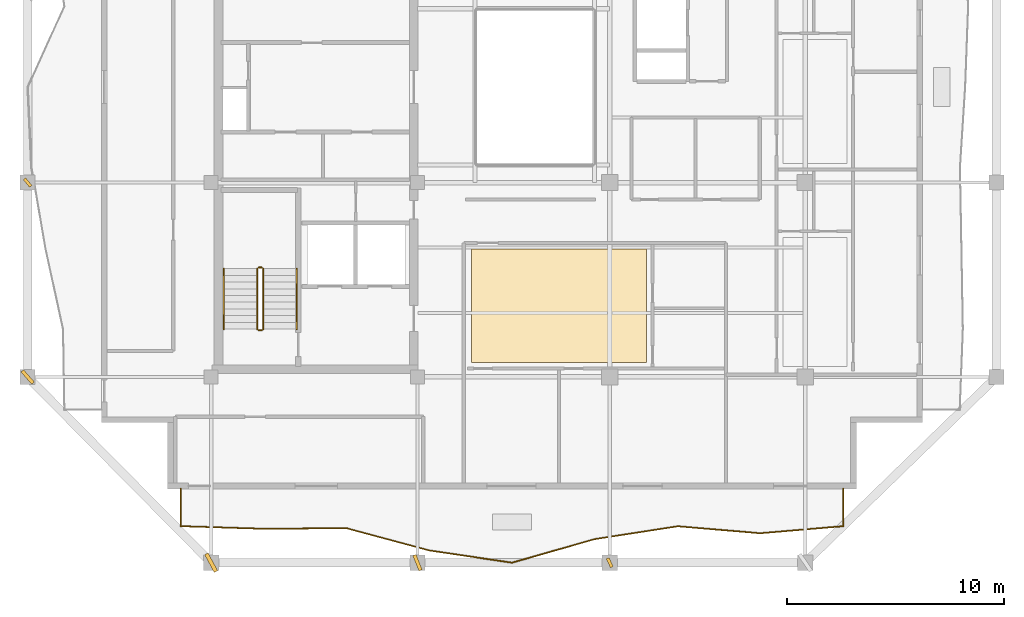
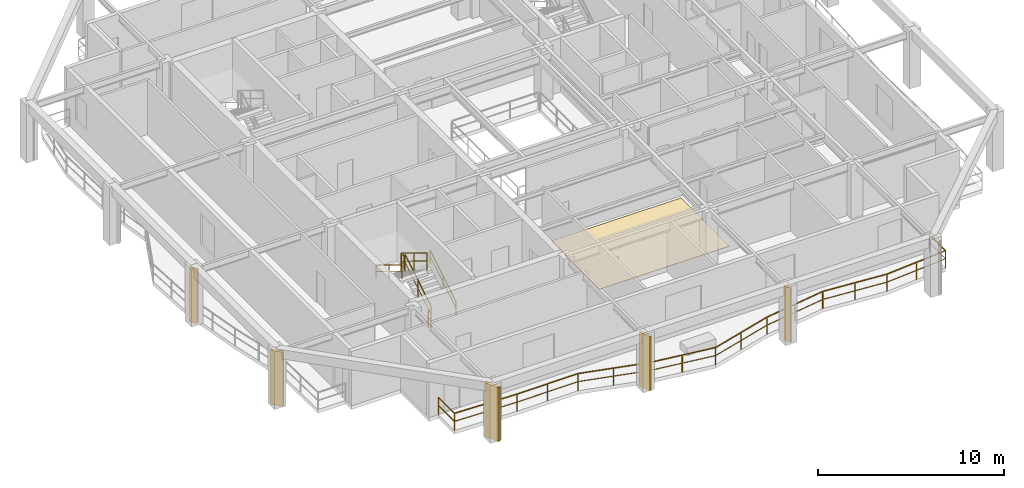
# One storey, part 7 of 10: 7 railings, 5 shading devices, 1 covering.
"""IFC4 building model written with IfcOpenShell, lengths in metres."""

from ifc_helpers import new_model, si_unit, direction, frame, origin, origin_2d, place, context, subcontext, project, spatial, polyline, rectangle, outline, extrude, material, layer, layer_set, type_object, element, save


model = new_model("IFC4")

# Units and contexts
model_context = context("Model", 3, precision=1e-05, world=origin(), true_north=direction((0.0, 1.0)))
body_context = subcontext(model_context, "Body", "Model", "MODEL_VIEW")
ifc_project = project(units=[si_unit("LENGTHUNIT", "METRE"), si_unit("AREAUNIT", "SQUARE_METRE"), si_unit("VOLUMEUNIT", "CUBIC_METRE"), si_unit("PLANEANGLEUNIT", "RADIAN"), si_unit("MASSUNIT", "GRAM", prefix="KILO")], contexts=[model_context])

# Site, building, storey
site_placement = place(None, origin())
site = spatial("IfcSite", under=ifc_project, at=site_placement, CompositionType="ELEMENT")
building_placement = place(site_placement, origin())
building = spatial("IfcBuilding", under=site, at=building_placement, Name="Kundavana Baori Tower", CompositionType="ELEMENT")
storey_placement = place(building_placement, frame((0.0, 0.0, 320.10009765625)))
storey = spatial("IfcBuildingStorey", under=building, at=storey_placement, Name="L79", CompositionType="ELEMENT", Elevation=320.10009765625)

# Covering
ifc_material_1 = material(Name="Honed Kota Stone and Terrazzo Flooring", Category="masonry")
ifc_layer = layer(ifc_material_1, 0.030029296875, Name="COV-INT-FLR")
ifc_layer_set = layer_set([ifc_layer], Name="Honed Kota Stone and Terrazzo Flooring")
covering_type = type_object("IfcCoveringType", Name="COV-INT-FLR", PredefinedType="FLOORING", material=ifc_layer_set)
covering_placement = place(storey_placement, origin())
element("IfcCovering", 1, at=covering_placement, inside=storey, type_object=covering_type, Name="L79 Room Finished Stone Flooring 1", PredefinedType="FLOORING", context=body_context, shape_type="SweptSolid", body=[
    extrude(outline(polyline([(27.43994140625, 15.919921875), (35.489990234375, 15.919921875), (35.489990234375, 21.139892578125), (27.43994140625, 21.139892578125), (27.43994140625, 15.919921875)])), origin(), (0.0, 0.0, 1.0), 0.02978515625),
])

# Railings
ifc_material_2 = material(Name="Architectural Patinated Bronze Metalwork")
railing_type_1 = type_object("IfcRailingType", Name="RL-BAL-1150", PredefinedType="BALUSTRADE", material=ifc_material_2)
railing_1_placement = place(storey_placement, frame((44.550048828125, 10.10009765625, 0.0)))
element("IfcRailing", 2, at=railing_1_placement, inside=storey, type_object=railing_type_1, Name="L79 Loggia Balcony Balustrade S", PredefinedType="BALUSTRADE", context=body_context, shape_type="SweptSolid", body=[
    extrude(rectangle(XDim=0.048095703125, YDim=0.048095703125, at=origin_2d()), frame((0.0, 0.0, 1.1259765625), z_axis=(0.0, -1.0, 0.0), x_axis=(1.0, 0.0, 0.0)), (0.0, 0.0, 1.0), 1.72021484375),
    extrude(rectangle(XDim=0.03125, YDim=0.03125, at=origin_2d()), frame((0.0, 0.0, 0.597900390625), z_axis=(0.0, -1.0, 0.0), x_axis=(1.0, 0.0, 0.0)), (0.0, 0.0, 1.0), 1.72021484375),
    extrude(rectangle(XDim=0.048095703125, YDim=0.048095703125, at=origin_2d()), frame((0.0, -1.72021484375, 1.1259765625), z_axis=(-0.996366629049, -0.085167719924, 0.0), x_axis=(0.085167719924, -0.996366629049, 0.0)), (0.0, 0.0, 1.0), 3.826904296875),
    extrude(rectangle(XDim=0.03125, YDim=0.03125, at=origin_2d()), frame((0.0, -1.72021484375, 0.597900390625), z_axis=(-0.996366629049, -0.085167719924, 0.0), x_axis=(0.085167719924, -0.996366629049, 0.0)), (0.0, 0.0, 1.0), 3.826904296875),
    extrude(rectangle(XDim=0.048095703125, YDim=0.048095703125, at=origin_2d()), frame((-3.81298828125, -2.046142578125, 1.1259765625), z_axis=(-0.996472310642, 0.083922190886, 0.0), x_axis=(-0.083922190886, -0.996472310642, 0.0)), (0.0, 0.0, 1.0), 3.825439453125),
    extrude(rectangle(XDim=0.03125, YDim=0.03125, at=origin_2d()), frame((-3.81298828125, -2.046142578125, 0.597900390625), z_axis=(-0.996472310642, 0.083922190886, 0.0), x_axis=(-0.083922190886, -0.996472310642, 0.0)), (0.0, 0.0, 1.0), 3.825439453125),
    extrude(rectangle(XDim=0.048095703125, YDim=0.048095703125, at=origin_2d()), frame((-7.625, -1.72509765625, 1.1259765625), z_axis=(-0.98819769459, -0.153183929991, 0.0), x_axis=(0.153183929991, -0.98819769459, 0.0)), (0.0, 0.0, 1.0), 3.858642578125),
    extrude(rectangle(XDim=0.03125, YDim=0.03125, at=origin_2d()), frame((-7.625, -1.72509765625, 0.597900390625), z_axis=(-0.98819769459, -0.153183929991, 0.0), x_axis=(0.153183929991, -0.98819769459, 0.0)), (0.0, 0.0, 1.0), 3.858642578125),
    extrude(rectangle(XDim=0.048095703125, YDim=0.048095703125, at=origin_2d()), frame((-11.43798828125, -2.316162109375, 1.1259765625), z_axis=(-0.961867239853, -0.273516750669, 0.0), x_axis=(0.273516750669, -0.961867239853, 0.0)), (0.0, 0.0, 1.0), 3.963134765625),
    extrude(rectangle(XDim=0.03125, YDim=0.03125, at=origin_2d()), frame((-11.43798828125, -2.316162109375, 0.597900390625), z_axis=(-0.961867239853, -0.273516750669, 0.0), x_axis=(0.273516750669, -0.961867239853, 0.0)), (0.0, 0.0, 1.0), 3.963134765625),
    extrude(rectangle(XDim=0.048095703125, YDim=0.048095703125, at=origin_2d()), frame((-15.25, -3.400146484375, 1.1259765625), z_axis=(-0.989274764011, 0.146066564593, 0.0), x_axis=(-0.146066564593, -0.989274764011, 0.0)), (0.0, 0.0, 1.0), 3.854248046875),
    extrude(rectangle(XDim=0.03125, YDim=0.03125, at=origin_2d()), frame((-15.25, -3.400146484375, 0.597900390625), z_axis=(-0.989274764011, 0.146066564593, 0.0), x_axis=(-0.146066564593, -0.989274764011, 0.0)), (0.0, 0.0, 1.0), 3.854248046875),
    extrude(rectangle(XDim=0.048095703125, YDim=0.048095703125, at=origin_2d()), frame((-19.06298828125, -2.837158203125, 1.1259765625), z_axis=(-0.965689765962, 0.259698432642, 0.0), x_axis=(-0.259698432642, -0.965689765962, 0.0)), (0.0, 0.0, 1.0), 3.947509765625),
    extrude(rectangle(XDim=0.03125, YDim=0.03125, at=origin_2d()), frame((-19.06298828125, -2.837158203125, 0.597900390625), z_axis=(-0.965689765962, 0.259698432642, 0.0), x_axis=(-0.259698432642, -0.965689765962, 0.0)), (0.0, 0.0, 1.0), 3.947509765625),
    extrude(rectangle(XDim=0.048095703125, YDim=0.048095703125, at=origin_2d()), frame((-22.875, -1.81201171875, 1.1259765625), z_axis=(-0.99997095866, -0.007621144107, 0.0), x_axis=(0.007621144107, -0.99997095866, 0.0)), (0.0, 0.0, 1.0), 3.81201171875),
    extrude(rectangle(XDim=0.03125, YDim=0.03125, at=origin_2d()), frame((-22.875, -1.81201171875, 0.597900390625), z_axis=(-0.99997095866, -0.007621144107, 0.0), x_axis=(0.007621144107, -0.99997095866, 0.0)), (0.0, 0.0, 1.0), 3.81201171875),
    extrude(rectangle(XDim=0.048095703125, YDim=0.048095703125, at=origin_2d()), frame((-26.68701171875, -1.841064453125, 1.1259765625), z_axis=(-0.999498116958, 0.03167829222, 0.0), x_axis=(-0.03167829222, -0.999498116958, 0.0)), (0.0, 0.0, 1.0), 3.81494140625),
    extrude(rectangle(XDim=0.03125, YDim=0.03125, at=origin_2d()), frame((-26.68701171875, -1.841064453125, 0.597900390625), z_axis=(-0.999498116958, 0.03167829222, 0.0), x_axis=(-0.03167829222, -0.999498116958, 0.0)), (0.0, 0.0, 1.0), 3.81494140625),
    extrude(rectangle(XDim=0.048095703125, YDim=0.048095703125, at=origin_2d()), frame((-30.5, -1.72021484375, 1.1259765625), z_axis=(0.0, 1.0, 0.0), x_axis=(-1.0, 0.0, 0.0)), (0.0, 0.0, 1.0), 1.72021484375),
    extrude(rectangle(XDim=0.03125, YDim=0.03125, at=origin_2d()), frame((-30.5, -1.72021484375, 0.597900390625), z_axis=(0.0, 1.0, 0.0), x_axis=(-1.0, 0.0, 0.0)), (0.0, 0.0, 1.0), 1.72021484375),
    extrude(rectangle(XDim=0.0419921875, YDim=0.0419921875, at=origin_2d()), origin(), (0.0, 0.0, 1.0), 1.101806640625),
    extrude(rectangle(XDim=0.0419921875, YDim=0.0419921875, at=origin_2d()), frame((0.0, -1.72021484375, 0.0)), (0.0, 0.0, 1.0), 1.101806640625),
    extrude(rectangle(XDim=0.0419921875, YDim=0.0419921875, at=origin_2d()), frame((-1.906494140625, -1.88330078125, 0.0)), (0.0, 0.0, 1.0), 1.101806640625),
    extrude(rectangle(XDim=0.0419921875, YDim=0.0419921875, at=origin_2d()), frame((-3.81298828125, -2.046142578125, 0.0)), (0.0, 0.0, 1.0), 1.101806640625),
    extrude(rectangle(XDim=0.0419921875, YDim=0.0419921875, at=origin_2d()), frame((-5.718994140625, -1.8857421875, 0.0)), (0.0, 0.0, 1.0), 1.101806640625),
    extrude(rectangle(XDim=0.0419921875, YDim=0.0419921875, at=origin_2d()), frame((-7.625, -1.72509765625, 0.0)), (0.0, 0.0, 1.0), 1.101806640625),
    extrude(rectangle(XDim=0.0419921875, YDim=0.0419921875, at=origin_2d()), frame((-9.531494140625, -2.0205078125, 0.0)), (0.0, 0.0, 1.0), 1.101806640625),
    extrude(rectangle(XDim=0.0419921875, YDim=0.0419921875, at=origin_2d()), frame((-11.43798828125, -2.316162109375, 0.0)), (0.0, 0.0, 1.0), 1.101806640625),
    extrude(rectangle(XDim=0.0419921875, YDim=0.0419921875, at=origin_2d()), frame((-13.343994140625, -2.858154296875, 0.0)), (0.0, 0.0, 1.0), 1.101806640625),
    extrude(rectangle(XDim=0.0419921875, YDim=0.0419921875, at=origin_2d()), frame((-15.25, -3.400146484375, 0.0)), (0.0, 0.0, 1.0), 1.101806640625),
    extrude(rectangle(XDim=0.0419921875, YDim=0.0419921875, at=origin_2d()), frame((-17.156494140625, -3.11865234375, 0.0)), (0.0, 0.0, 1.0), 1.101806640625),
    extrude(rectangle(XDim=0.0419921875, YDim=0.0419921875, at=origin_2d()), frame((-19.06298828125, -2.837158203125, 0.0)), (0.0, 0.0, 1.0), 1.101806640625),
    extrude(rectangle(XDim=0.0419921875, YDim=0.0419921875, at=origin_2d()), frame((-20.968994140625, -2.32470703125, 0.0)), (0.0, 0.0, 1.0), 1.101806640625),
    extrude(rectangle(XDim=0.0419921875, YDim=0.0419921875, at=origin_2d()), frame((-22.875, -1.81201171875, 0.0)), (0.0, 0.0, 1.0), 1.101806640625),
    extrude(rectangle(XDim=0.0419921875, YDim=0.0419921875, at=origin_2d()), frame((-24.781005859375, -1.82666015625, 0.0)), (0.0, 0.0, 1.0), 1.101806640625),
    extrude(rectangle(XDim=0.0419921875, YDim=0.0419921875, at=origin_2d()), frame((-26.68701171875, -1.841064453125, 0.0)), (0.0, 0.0, 1.0), 1.101806640625),
    extrude(rectangle(XDim=0.0419921875, YDim=0.0419921875, at=origin_2d()), frame((-28.593505859375, -1.78076171875, 0.0)), (0.0, 0.0, 1.0), 1.101806640625),
    extrude(rectangle(XDim=0.0419921875, YDim=0.0419921875, at=origin_2d()), frame((-30.5, -1.72021484375, 0.0)), (0.0, 0.0, 1.0), 1.101806640625),
    extrude(rectangle(XDim=0.0419921875, YDim=0.0419921875, at=origin_2d()), frame((-30.5, 0.0, 0.0)), (0.0, 0.0, 1.0), 1.101806640625),
])
ifc_material_3 = material(Name="Architectural Patinated Bronze Metalwork")
railing_type_2 = type_object("IfcRailingType", Name="RL-GRD-1150", PredefinedType="GUARDRAIL", material=ifc_material_3)
railing_2_placement = place(storey_placement, frame((17.840087890625, 17.449951171875, 0.18994140625)))
element("IfcRailing", 3, at=railing_2_placement, inside=storey, type_object=railing_type_2, Name="L79 ST1 stair guard 1", PredefinedType="GUARDRAIL", context=body_context, shape_type="SweptSolid", body=[
    extrude(rectangle(XDim=0.048095703125, YDim=0.048095703125, at=origin_2d()), frame((0.0, 0.0, 1.1259765625), z_axis=(0.0, 0.852609830418, 0.522548061975), x_axis=(-1.0, 0.0, 0.0)), (0.0, 0.0, 1.0), 3.2724609375),
    extrude(rectangle(XDim=0.03125, YDim=0.03125, at=origin_2d()), frame((0.0, 0.0, 0.597900390625), z_axis=(0.0, 0.852609830418, 0.522548061975), x_axis=(-1.0, 0.0, 0.0)), (0.0, 0.0, 1.0), 3.2724609375),
    extrude(rectangle(XDim=0.0419921875, YDim=0.0419921875, at=origin_2d()), origin(), (0.0, 0.0, 1.0), 1.101806640625),
    extrude(rectangle(XDim=0.0419921875, YDim=0.0419921875, at=origin_2d()), frame((0.0, 1.39501953125, 0.85498046875)), (0.0, 0.0, 1.0), 1.101806640625),
    extrude(rectangle(XDim=0.0419921875, YDim=0.0419921875, at=origin_2d()), frame((0.0, 2.7900390625, 1.7099609375)), (0.0, 0.0, 1.0), 1.101806640625),
])
railing_3_placement = place(storey_placement, frame((17.7900390625, 20.2900390625, 1.89990234375)))
element("IfcRailing", 4, at=railing_3_placement, inside=storey, type_object=railing_type_2, Name="L79 ST1 stair guard 2", PredefinedType="GUARDRAIL", context=body_context, shape_type="SweptSolid", body=[
    extrude(rectangle(XDim=0.048095703125, YDim=0.048095703125, at=origin_2d()), frame((0.0, 0.0, 1.1259765625), z_axis=(-1.0, 0.0, 0.0), x_axis=(0.0, -1.0, 0.0)), (0.0, 0.0, 1.0), 0.16015625),
    extrude(rectangle(XDim=0.03125, YDim=0.03125, at=origin_2d()), frame((0.0, 0.0, 0.597900390625), z_axis=(-1.0, 0.0, 0.0), x_axis=(0.0, -1.0, 0.0)), (0.0, 0.0, 1.0), 0.16015625),
    extrude(rectangle(XDim=0.0419921875, YDim=0.0419921875, at=origin_2d()), origin(), (0.0, 0.0, 1.0), 1.101806640625),
    extrude(rectangle(XDim=0.0419921875, YDim=0.0419921875, at=origin_2d()), frame((-0.16015625, 0.0, 0.0)), (0.0, 0.0, 1.0), 1.101806640625),
])
railing_4_placement = place(storey_placement, frame((17.580078125, 20.239990234375, 2.08984375)))
element("IfcRailing", 5, at=railing_4_placement, inside=storey, type_object=railing_type_2, Name="L79 ST1 stair guard 3", PredefinedType="GUARDRAIL", context=body_context, shape_type="SweptSolid", body=[
    extrude(rectangle(XDim=0.048095703125, YDim=0.048095703125, at=origin_2d()), frame((0.0, 0.0, 1.1259765625), z_axis=(0.0, -0.852609830418, 0.522548061975), x_axis=(1.0, 0.0, 0.0)), (0.0, 0.0, 1.0), 3.2724609375),
    extrude(rectangle(XDim=0.03125, YDim=0.03125, at=origin_2d()), frame((0.0, 0.0, 0.597900390625), z_axis=(0.0, -0.852609830418, 0.522548061975), x_axis=(1.0, 0.0, 0.0)), (0.0, 0.0, 1.0), 3.2724609375),
    extrude(rectangle(XDim=0.0419921875, YDim=0.0419921875, at=origin_2d()), origin(), (0.0, 0.0, 1.0), 1.101806640625),
    extrude(rectangle(XDim=0.0419921875, YDim=0.0419921875, at=origin_2d()), frame((0.0, -1.39501953125, 0.85498046875)), (0.0, 0.0, 1.0), 1.101806640625),
    extrude(rectangle(XDim=0.0419921875, YDim=0.0419921875, at=origin_2d()), frame((0.0, -2.7900390625, 1.7099609375)), (0.0, 0.0, 1.0), 1.101806640625),
])
railing_5_placement = place(storey_placement, frame((17.7900390625, 17.39990234375, 0.0)))
element("IfcRailing", 6, at=railing_5_placement, inside=storey, type_object=railing_type_2, Name="L79 ST1 stair guard 4", PredefinedType="GUARDRAIL", context=body_context, shape_type="SweptSolid", body=[
    extrude(rectangle(XDim=0.048095703125, YDim=0.048095703125, at=origin_2d()), frame((0.0, 0.0, 1.1259765625), z_axis=(-1.0, 0.0, 0.0), x_axis=(0.0, -1.0, 0.0)), (0.0, 0.0, 1.0), 0.16015625),
    extrude(rectangle(XDim=0.03125, YDim=0.03125, at=origin_2d()), frame((0.0, 0.0, 0.597900390625), z_axis=(-1.0, 0.0, 0.0), x_axis=(0.0, -1.0, 0.0)), (0.0, 0.0, 1.0), 0.16015625),
    extrude(rectangle(XDim=0.0419921875, YDim=0.0419921875, at=origin_2d()), origin(), (0.0, 0.0, 1.0), 1.101806640625),
    extrude(rectangle(XDim=0.0419921875, YDim=0.0419921875, at=origin_2d()), frame((-0.16015625, 0.0, 0.0)), (0.0, 0.0, 1.0), 1.101806640625),
])
ifc_material_4 = material(Name="Architectural Patinated Bronze Metalwork")
railing_type_3 = type_object("IfcRailingType", Name="RL-HND-920", PredefinedType="HANDRAIL", material=ifc_material_4)
railing_6_placement = place(storey_placement, frame((19.389892578125, 17.449951171875, 0.18994140625)))
element("IfcRailing", 7, at=railing_6_placement, inside=storey, type_object=railing_type_3, Name="L79 ST1 stair handrail 1", PredefinedType="HANDRAIL", context=body_context, shape_type="SweptSolid", body=[
    extrude(rectangle(XDim=0.048095703125, YDim=0.048095703125, at=origin_2d()), frame((0.0, 0.0, 0.8759765625), z_axis=(0.0, 0.852609830418, 0.522548061975), x_axis=(-1.0, 0.0, 0.0)), (0.0, 0.0, 1.0), 3.2724609375),
    extrude(rectangle(XDim=0.03125, YDim=0.03125, at=origin_2d()), frame((0.0, 0.0, 0.468017578125), z_axis=(0.0, 0.852609830418, 0.522548061975), x_axis=(-1.0, 0.0, 0.0)), (0.0, 0.0, 1.0), 3.2724609375),
    extrude(rectangle(XDim=0.0419921875, YDim=0.0419921875, at=origin_2d()), origin(), (0.0, 0.0, 1.0), 0.851806640625),
    extrude(rectangle(XDim=0.0419921875, YDim=0.0419921875, at=origin_2d()), frame((0.0, 1.39501953125, 0.85498046875)), (0.0, 0.0, 1.0), 0.851806640625),
    extrude(rectangle(XDim=0.0419921875, YDim=0.0419921875, at=origin_2d()), frame((0.0, 2.7900390625, 1.7099609375)), (0.0, 0.0, 1.0), 0.851806640625),
])
railing_7_placement = place(storey_placement, frame((16.030029296875, 20.239990234375, 2.08984375)))
element("IfcRailing", 8, at=railing_7_placement, inside=storey, type_object=railing_type_3, Name="L79 ST1 stair handrail 2", PredefinedType="HANDRAIL", context=body_context, shape_type="SweptSolid", body=[
    extrude(rectangle(XDim=0.048095703125, YDim=0.048095703125, at=origin_2d()), frame((0.0, 0.0, 0.8759765625), z_axis=(0.0, -0.852609830418, 0.522548061975), x_axis=(1.0, 0.0, 0.0)), (0.0, 0.0, 1.0), 3.2724609375),
    extrude(rectangle(XDim=0.03125, YDim=0.03125, at=origin_2d()), frame((0.0, 0.0, 0.468017578125), z_axis=(0.0, -0.852609830418, 0.522548061975), x_axis=(1.0, 0.0, 0.0)), (0.0, 0.0, 1.0), 3.2724609375),
    extrude(rectangle(XDim=0.0419921875, YDim=0.0419921875, at=origin_2d()), origin(), (0.0, 0.0, 1.0), 0.851806640625),
    extrude(rectangle(XDim=0.0419921875, YDim=0.0419921875, at=origin_2d()), frame((0.0, -1.39501953125, 0.85498046875)), (0.0, 0.0, 1.0), 0.851806640625),
    extrude(rectangle(XDim=0.0419921875, YDim=0.0419921875, at=origin_2d()), frame((0.0, -2.7900390625, 1.7099609375)), (0.0, 0.0, 1.0), 0.851806640625),
])

# Shading devices
ifc_material_5 = material(Name="Red-Buff Dholpur Sandstone Cladding on Concrete C40/50", Category="masonry")
shading_device_type_1 = type_object("IfcShadingDeviceType", Name="SHD-FIN-750", PredefinedType="JALOUSIE", material=ifc_material_5)
for number, where, z_axis, x_axis, name in (
    (9, (24.949951171875, 6.699951171875, -0.000244140625), (0.0, 0.0, 1.0), (0.925936516366, 0.377679186163, 0.0), "L79 Sweeping Dholpur Sandstone Facade Fin 2"),
    (10, (7.0, 15.25, -0.000244140625), (0.0, 0.0, 1.0), (0.749649204093, 0.66183538044, 0.0), "L79 Sweeping Dholpur Sandstone Facade Fin 5"),
):
    element("IfcShadingDevice", number, at=place(storey_placement, frame(where, z_axis=z_axis, x_axis=x_axis)), inside=storey, type_object=shading_device_type_1, Name=name, PredefinedType="JALOUSIE", context=body_context, shape_type="SweptSolid", body=[
        extrude(rectangle(XDim=0.159912109375, YDim=0.75, at=origin_2d()), origin(), (0.0, 0.0, 1.0), 3.56005859375),
    ])
ifc_material_6 = material(Name="Red-Buff Dholpur Sandstone Cladding on Concrete C40/50", Category="masonry")
shading_device_type_2 = type_object("IfcShadingDeviceType", Name="SHD-FIN-920", PredefinedType="JALOUSIE", material=ifc_material_6)
shading_device_placement = place(storey_placement, frame((15.449951171875, 6.699951171875, -0.000244140625), z_axis=(0.0, 0.0, 1.0), x_axis=(0.880229000821, 0.474549160903, 0.0)))
element("IfcShadingDevice", 11, at=shading_device_placement, inside=storey, type_object=shading_device_type_2, Name="L79 Sweeping Dholpur Sandstone Facade Fin 1", PredefinedType="JALOUSIE", context=body_context, shape_type="SweptSolid", body=[
    extrude(rectangle(XDim=0.179931640625, YDim=0.919921875, at=origin_2d()), origin(), (0.0, 0.0, 1.0), 3.56005859375),
])
ifc_material_7 = material(Name="Architectural Patinated Bronze Metalwork")
shading_device_type_3 = type_object("IfcShadingDeviceType", Name="SHD-LOUV-450", PredefinedType="SHUTTER", material=ifc_material_7)
for number, where, z_axis, x_axis, name in (
    (12, (33.800048828125, 6.699951171875, -0.000244140625), (0.0, 0.0, 1.0), (0.905790785166, 0.423725209904, 0.0), "L79 Sweeping Dholpur Sandstone Facade Fin 3"),
    (13, (7.0, 24.199951171875, -0.000244140625), (0.0, 0.0, 1.0), (0.767389013234, 0.641181801339, 0.0), "L79 Sweeping Dholpur Sandstone Facade Fin 6"),
):
    element("IfcShadingDevice", number, at=place(storey_placement, frame(where, z_axis=z_axis, x_axis=x_axis)), inside=storey, type_object=shading_device_type_3, Name=name, PredefinedType="SHUTTER", context=body_context, shape_type="SweptSolid", body=[
        extrude(rectangle(XDim=0.139892578125, YDim=0.449951171875, at=origin_2d()), origin(), (0.0, 0.0, 1.0), 3.56005859375),
    ])

save(model, "model.ifc")
